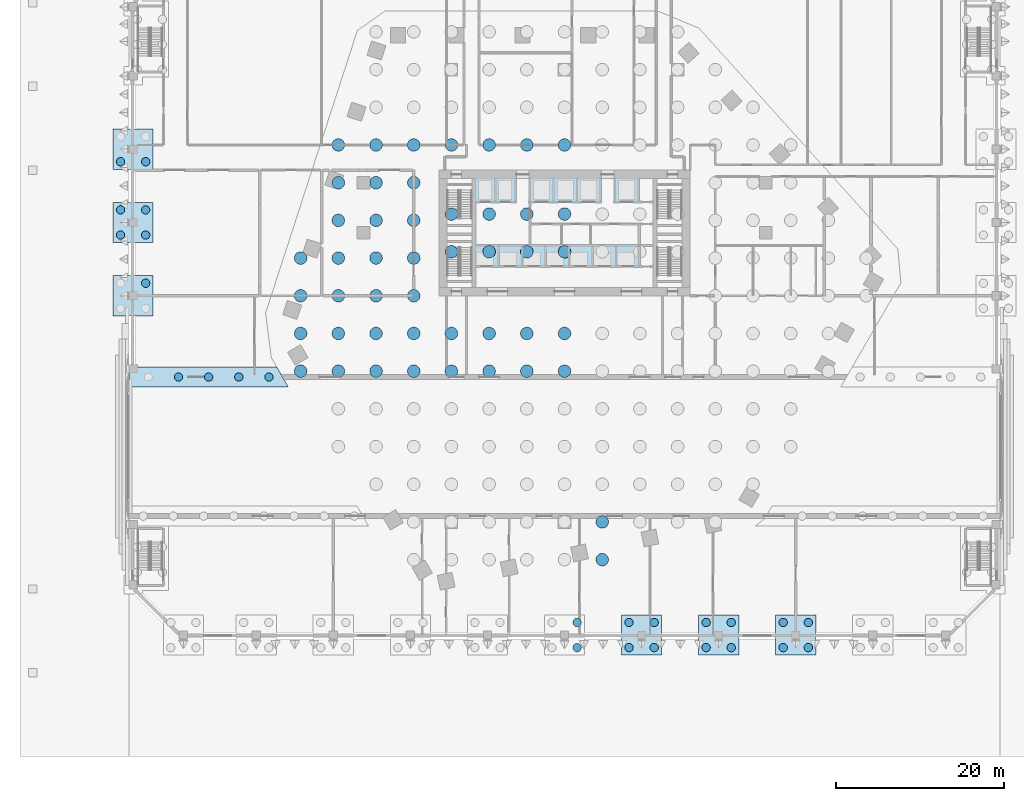
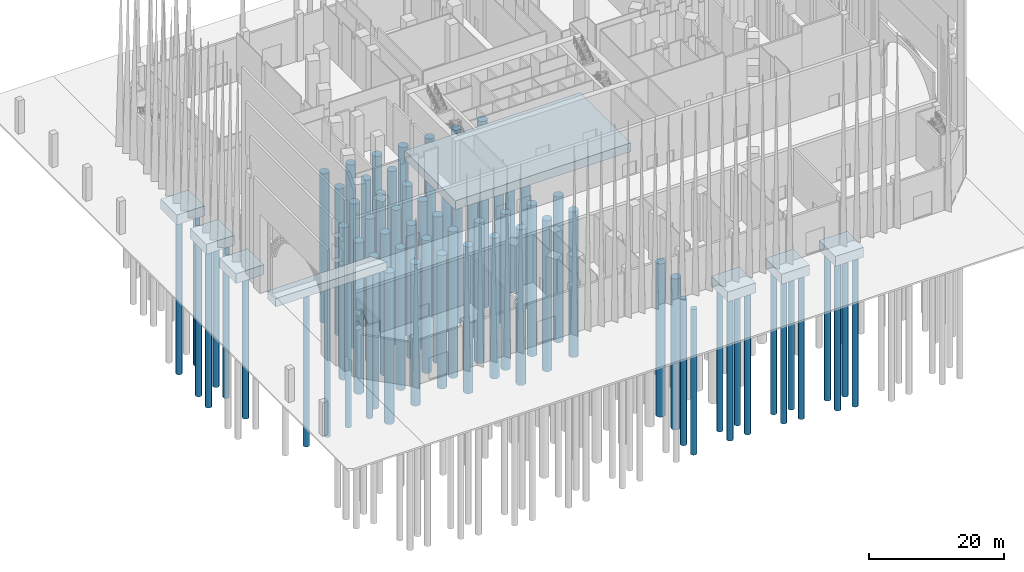
# One storey, part 2 of 32: 72 piles, 8 footings.
"""IFC4 building model written with IfcOpenShell, lengths in metres."""

import ifcopenshell
import ifcopenshell.guid

model = None  # the IFC model being written
_history = None  # IfcOwnerHistory: only IFC2X3 demands one
_inside = {}  # id of a spatial element -> (the spatial element, [elements in it])
_under = {}  # id of a project, library or spatial element -> (it, [spatial elements below it])
_declared = {}  # id of a project -> (the project, [libraries it declares])
_typed = {}  # id of a type object -> (the type object, [elements of that type])
_made_of = {}  # id of a material, layer set ... -> (it, [elements and type objects made of it])


def new_model(schema):
    """Start an empty IFC model of exactly this schema.

    Asked for "IFC4X3", IfcOpenShell would pick the latest addendum, in which some entities
    have other attributes; the version numbers below select the first issue.
    IFC2X3 requires an IfcOwnerHistory on every rooted entity: one is made here for all.
    """
    global model, _history
    if schema == "IFC4X3":
        model = ifcopenshell.file(schema_version=(4, 3, 0, 0))
    else:
        model = ifcopenshell.file(schema=schema)
    _inside.clear()
    _under.clear()
    _declared.clear()
    _typed.clear()
    _made_of.clear()
    _history = None
    if model.schema == "IFC2X3":
        org = make("IfcOrganization", Name="unknown")
        user = make(
            "IfcPersonAndOrganization",
            ThePerson=make("IfcPerson", FamilyName="unknown"),
            TheOrganization=org,
        )
        app = make(
            "IfcApplication",
            ApplicationDeveloper=org,
            Version="unknown",
            ApplicationFullName="unknown",
            ApplicationIdentifier="unknown",
        )
        _history = make(
            "IfcOwnerHistory",
            OwningUser=user,
            OwningApplication=app,
            ChangeAction="ADDED",
            CreationDate=0,
        )
    return model


def make(cls, **values):
    """One entity of the class cls with the attributes given. An attribute that is None is left unset."""
    return model.create_entity(
        cls, **{name: value for name, value in values.items() if value is not None}
    )


def rooted(cls, **values):
    """An entity with a GlobalId (a new one), such as an element, a storey or a relation."""
    return make(cls, GlobalId=ifcopenshell.guid.new(), OwnerHistory=_history, **values)


def si_unit(unit_type, name, prefix=None):
    """IfcSIUnit, for example si_unit("LENGTHUNIT", "METRE", prefix="MILLI")."""
    return make("IfcSIUnit", UnitType=unit_type, Prefix=prefix, Name=name)


def assignment(units):
    """IfcUnitAssignment: the units of a project."""
    return None if units is None else make("IfcUnitAssignment", Units=units)


def point(xyz):
    """IfcCartesianPoint."""
    return None if xyz is None else make("IfcCartesianPoint", Coordinates=xyz)


def direction(xyz):
    """IfcDirection."""
    return None if xyz is None else make("IfcDirection", DirectionRatios=xyz)


def frame(location, z_axis=None, x_axis=None):
    """IfcAxis2Placement3D, a coordinate frame: its origin and axes. An axis left out is left unset."""
    return make(
        "IfcAxis2Placement3D",
        Location=point(location),
        Axis=direction(z_axis),
        RefDirection=direction(x_axis),
    )


def frame_2d(location, x_axis=None):
    """IfcAxis2Placement2D, a coordinate frame in the plane: its origin and x axis."""
    return make(
        "IfcAxis2Placement2D", Location=point(location), RefDirection=direction(x_axis)
    )


def origin():
    """The frame at (0, 0, 0) with its axes left unset."""
    return frame((0.0, 0.0, 0.0))


def origin_2d():
    """The frame at (0, 0) in the plane with its x axis left unset."""
    return frame_2d((0.0, 0.0))


def place(relative_to, where):
    """IfcLocalPlacement: puts the frame where relative to a parent placement (None: the world)."""
    return make(
        "IfcLocalPlacement", PlacementRelTo=relative_to, RelativePlacement=where
    )


def context(
    kind, dimensions, precision=None, world=None, true_north=None, identifier=None
):
    """IfcGeometricRepresentationContext, for example the 3D "Model" context."""
    return make(
        "IfcGeometricRepresentationContext",
        ContextIdentifier=identifier,
        ContextType=kind,
        CoordinateSpaceDimension=dimensions,
        Precision=precision,
        WorldCoordinateSystem=world,
        TrueNorth=true_north,
    )


def subcontext(parent, identifier, kind, view, scale=None):
    """IfcGeometricRepresentationSubContext, for example "Body" below "Model"."""
    return make(
        "IfcGeometricRepresentationSubContext",
        ContextIdentifier=identifier,
        ContextType=kind,
        ParentContext=parent,
        TargetScale=scale,
        TargetView=view,
    )


def project(units=None, contexts=None):
    """IfcProject with its units and contexts."""
    return rooted(
        "IfcProject",
        Name="project",
        RepresentationContexts=contexts,
        UnitsInContext=assignment(units),
    )


def spatial(cls, under=None, at=None, **own):
    """A site, building, storey or space (cls), placed at a placement, below another one or the project."""
    s = rooted(cls, ObjectPlacement=at, **own)
    if under is not None:
        _under.setdefault(under.id(), (under, []))[1].append(s)
    return s


def polyline(points):
    """IfcPolyline through the points."""
    return make("IfcPolyline", Points=[point(p) for p in points])


def profile(cls, at=None, kind="AREA", **sizes):
    """A parametric profile (cls). Its sizes go by their IFC names, for example OverallWidth=200.0."""
    return make(cls, ProfileType=kind, Position=at, **sizes)


def circle(**sizes):
    """IfcCircleProfileDef."""
    return profile("IfcCircleProfileDef", **sizes)


def outline(outer, holes=None, kind="AREA"):
    """IfcArbitraryClosedProfileDef: a profile drawn as a closed curve; with holes, ...WithVoids."""
    if holes is None:
        return make("IfcArbitraryClosedProfileDef", ProfileType=kind, OuterCurve=outer)
    return make(
        "IfcArbitraryProfileDefWithVoids",
        ProfileType=kind,
        OuterCurve=outer,
        InnerCurves=holes,
    )


def extrude(swept, where, along, depth):
    """IfcExtrudedAreaSolid: the profile swept, set in the frame where, extruded along a direction by depth."""
    return make(
        "IfcExtrudedAreaSolid",
        SweptArea=swept,
        Position=where,
        ExtrudedDirection=direction(along),
        Depth=depth,
    )


def shape(context_of_items, identifier, shape_type, items):
    """IfcShapeRepresentation: the items that make up one representation, for example the "Body"."""
    return make(
        "IfcShapeRepresentation",
        ContextOfItems=context_of_items,
        RepresentationIdentifier=identifier,
        RepresentationType=shape_type,
        Items=items,
    )


def material(Name=None, Category=None):
    """IfcMaterial."""
    return make("IfcMaterial", Name=Name, Category=Category)


def layer(
    of_material, thickness, ventilated=None, Name=None, Category=None, Priority=None
):
    """IfcMaterialLayer: one layer of a wall or slab, of a material (None: an air gap)."""
    return make(
        "IfcMaterialLayer",
        Material=of_material,
        LayerThickness=thickness,
        IsVentilated=ventilated,
        Name=Name,
        Category=Category,
        Priority=Priority,
    )


def layer_set(layers, Name=None):
    """IfcMaterialLayerSet."""
    return make("IfcMaterialLayerSet", MaterialLayers=layers, LayerSetName=Name)


def material_profile(
    of_material, cross_section, Name=None, Category=None, Priority=None
):
    """IfcMaterialProfile: a cross section and its material."""
    return make(
        "IfcMaterialProfile",
        Name=Name,
        Material=of_material,
        Profile=cross_section,
        Priority=Priority,
        Category=Category,
    )


def profile_set(profiles, Name=None, composite=None):
    """IfcMaterialProfileSet."""
    return make(
        "IfcMaterialProfileSet",
        Name=Name,
        MaterialProfiles=profiles,
        CompositeProfile=composite,
    )


def made_of(thing, what):
    """Note that an element or type object is made of a material, layer set ...; save() writes the relation."""
    if what is not None:
        _made_of.setdefault(what.id(), (what, []))[1].append(thing)
    return thing


def type_object(cls, material=None, **own):
    """A type object (cls), such as IfcWallType, which elements share."""
    return made_of(rooted(cls, **own), material)


def element(
    cls,
    number,
    at=None,
    inside=None,
    cuts=None,
    type_object=None,
    material=None,
    context=None,
    identifier="Body",
    shape_type=None,
    held_by="IfcProductDefinitionShape",
    body=None,
    shapes=None,
    **own,
):
    """One element of the class cls, such as IfcWall. Its Tag is "e" and its number.

    at: its placement. inside: the storey or other place that contains it. cuts: it is an
    opening in that element (IfcRelVoidsElement). A single representation is given by context,
    identifier, shape_type and body (its items); several are given by shapes. held_by: the class
    of the entity that holds the representations. save() writes the other relations.
    """
    e = rooted(cls, Tag="e%d" % number, ObjectPlacement=at, **own)
    if body is not None:
        shapes = [shape(context, identifier, shape_type, body)]
    if shapes is not None:
        e.Representation = make(held_by, Representations=shapes)
    if inside is not None:
        _inside.setdefault(inside.id(), (inside, []))[1].append(e)
    if cuts is not None:
        rooted(
            "IfcRelVoidsElement", RelatingBuildingElement=cuts, RelatedOpeningElement=e
        )
    if type_object is not None:
        _typed.setdefault(type_object.id(), (type_object, []))[1].append(e)
    return made_of(e, material)


def aggregate(whole, parts):
    """IfcRelAggregates: a whole, such as a stair, and the parts it consists of."""
    return rooted("IfcRelAggregates", RelatingObject=whole, RelatedObjects=parts)


def save(model, path):
    """Write the relations noted so far, then the file.

    IfcRelAggregates (storeys below a building ...), IfcRelContainedInSpatialStructure (elements
    in a storey), IfcRelDefinesByType, IfcRelAssociatesMaterial and IfcRelDeclares: one each for
    every whole, place, type object, material and project.
    """
    for whole, parts in _under.values():
        aggregate(whole, parts)
    for where, things in _inside.values():
        rooted(
            "IfcRelContainedInSpatialStructure",
            RelatedElements=things,
            RelatingStructure=where,
        )
    for kind, things in _typed.values():
        rooted("IfcRelDefinesByType", RelatedObjects=things, RelatingType=kind)
    for what, things in _made_of.values():
        rooted("IfcRelAssociatesMaterial", RelatedObjects=things, RelatingMaterial=what)
    for by, libraries in _declared.values():
        rooted("IfcRelDeclares", RelatingContext=by, RelatedDefinitions=libraries)
    model.write(path)


model = new_model("IFC4")

# Units and contexts
model_context = context("Model", 3, precision=1e-05, world=origin(), true_north=direction((0.0, 1.0)))
body_context = subcontext(model_context, "Body", "Model", "MODEL_VIEW")
ifc_project = project(units=[si_unit("LENGTHUNIT", "METRE"), si_unit("AREAUNIT", "SQUARE_METRE"), si_unit("VOLUMEUNIT", "CUBIC_METRE"), si_unit("PLANEANGLEUNIT", "RADIAN"), si_unit("MASSUNIT", "GRAM", prefix="KILO")], contexts=[model_context])

# Site, building, storey
site_placement = place(None, origin())
site = spatial("IfcSite", under=ifc_project, at=site_placement, CompositionType="ELEMENT")
building_placement = place(site_placement, origin())
building = spatial("IfcBuilding", under=site, at=building_placement, Name="Isthmus Gate Tower", CompositionType="ELEMENT")
storey_placement = place(building_placement, origin())
storey = spatial("IfcBuildingStorey", under=building, at=storey_placement, Name="L00", CompositionType="ELEMENT", Elevation=0.0)

# Piles
ifc_material_1 = material(Name="Concrete f'c 50 MPa", Category="concrete")
ifc_material_profile_1 = material_profile(ifc_material_1, circle(Radius=0.5, at=origin_2d()), Name="D1000")
ifc_profile_set_1 = profile_set([ifc_material_profile_1], Name="Concrete f'c 50 MPa")
pile_type_1 = type_object("IfcPileType", Name="BORED PILE D1000", PredefinedType="BORED", material=ifc_profile_set_1)
pile_1_placement = place(storey_placement, frame((-46.083984375, -9.699951171875, -1.5), z_axis=(0.0, 0.0, -1.0), x_axis=(1.0, 0.0, 0.0)))
element("IfcPile", 1, at=pile_1_placement, inside=storey, type_object=pile_type_1, Name="str-pile-L00-187", PredefinedType="BORED", context=body_context, shape_type="SweptSolid", body=[
    extrude(circle(Radius=0.5, at=origin_2d()), origin(), (0.0, 0.0, 1.0), 28.05029296875),
])
pile_2_placement = place(storey_placement, frame((-42.48388671875, -9.699951171875, -1.5), z_axis=(0.0, 0.0, -1.0), x_axis=(1.0, 0.0, 0.0)))
element("IfcPile", 2, at=pile_2_placement, inside=storey, type_object=pile_type_1, Name="str-pile-L00-188", PredefinedType="BORED", context=body_context, shape_type="SweptSolid", body=[
    extrude(circle(Radius=0.5, at=origin_2d()), origin(), (0.0, 0.0, 1.0), 27.614013671875),
])
pile_3_placement = place(storey_placement, frame((-38.884033203125, -9.699951171875, -1.5), z_axis=(0.0, 0.0, -1.0), x_axis=(1.0, 0.0, 0.0)))
element("IfcPile", 3, at=pile_3_placement, inside=storey, type_object=pile_type_1, Name="str-pile-L00-189", PredefinedType="BORED", context=body_context, shape_type="SweptSolid", body=[
    extrude(circle(Radius=0.5, at=origin_2d()), origin(), (0.0, 0.0, 1.0), 27.166015625),
])
pile_4_placement = place(storey_placement, frame((-35.283935546875, -9.699951171875, -1.5), z_axis=(0.0, 0.0, -1.0), x_axis=(1.0, 0.0, 0.0)))
element("IfcPile", 4, at=pile_4_placement, inside=storey, type_object=pile_type_1, Name="str-pile-L00-190", PredefinedType="BORED", context=body_context, shape_type="SweptSolid", body=[
    extrude(circle(Radius=0.5, at=origin_2d()), origin(), (0.0, 0.0, 1.0), 26.752685546875),
])
pile_5_placement = place(storey_placement, frame((1.5, -42.0, -1.800048828125), z_axis=(0.0, 0.0, -1.0), x_axis=(1.0, 0.0, 0.0)))
element("IfcPile", 5, at=pile_5_placement, inside=storey, type_object=pile_type_1, Name="str-pile-L00-218", PredefinedType="BORED", context=body_context, shape_type="SweptSolid", body=[
    extrude(circle(Radius=0.5, at=origin_2d()), origin(), (0.0, 0.0, 1.0), 26.318115234375),
])
pile_6_placement = place(storey_placement, frame((1.5, -39.0, -1.800048828125), z_axis=(0.0, 0.0, -1.0), x_axis=(1.0, 0.0, 0.0)))
element("IfcPile", 6, at=pile_6_placement, inside=storey, type_object=pile_type_1, Name="str-pile-L00-219", PredefinedType="BORED", context=body_context, shape_type="SweptSolid", body=[
    extrude(circle(Radius=0.5, at=origin_2d()), origin(), (0.0, 0.0, 1.0), 26.438232421875),
])
pile_7_placement = place(storey_placement, frame((7.699951171875, -42.0, -1.800048828125), z_axis=(0.0, 0.0, -1.0), x_axis=(1.0, 0.0, 0.0)))
element("IfcPile", 7, at=pile_7_placement, inside=storey, type_object=pile_type_1, Name="str-pile-L00-220", PredefinedType="BORED", context=body_context, shape_type="SweptSolid", body=[
    extrude(circle(Radius=0.5, at=origin_2d()), origin(), (0.0, 0.0, 1.0), 25.935302734375),
])
pile_8_placement = place(storey_placement, frame((7.699951171875, -39.0, -1.800048828125), z_axis=(0.0, 0.0, -1.0), x_axis=(1.0, 0.0, 0.0)))
element("IfcPile", 8, at=pile_8_placement, inside=storey, type_object=pile_type_1, Name="str-pile-L00-221", PredefinedType="BORED", context=body_context, shape_type="SweptSolid", body=[
    extrude(circle(Radius=0.5, at=origin_2d()), origin(), (0.0, 0.0, 1.0), 26.107666015625),
])
pile_9_placement = place(storey_placement, frame((10.699951171875, -42.0, -1.800048828125), z_axis=(0.0, 0.0, -1.0), x_axis=(1.0, 0.0, 0.0)))
element("IfcPile", 9, at=pile_9_placement, inside=storey, type_object=pile_type_1, Name="str-pile-L00-222", PredefinedType="BORED", context=body_context, shape_type="SweptSolid", body=[
    extrude(circle(Radius=0.5, at=origin_2d()), origin(), (0.0, 0.0, 1.0), 25.884765625),
])
pile_10_placement = place(storey_placement, frame((10.699951171875, -39.0, -1.800048828125), z_axis=(0.0, 0.0, -1.0), x_axis=(1.0, 0.0, 0.0)))
element("IfcPile", 10, at=pile_10_placement, inside=storey, type_object=pile_type_1, Name="str-pile-L00-223", PredefinedType="BORED", context=body_context, shape_type="SweptSolid", body=[
    extrude(circle(Radius=0.5, at=origin_2d()), origin(), (0.0, 0.0, 1.0), 26.06396484375),
])
pile_11_placement = place(storey_placement, frame((16.89990234375, -42.0, -1.800048828125), z_axis=(0.0, 0.0, -1.0), x_axis=(1.0, 0.0, 0.0)))
element("IfcPile", 11, at=pile_11_placement, inside=storey, type_object=pile_type_1, Name="str-pile-L00-224", PredefinedType="BORED", context=body_context, shape_type="SweptSolid", body=[
    extrude(circle(Radius=0.5, at=origin_2d()), origin(), (0.0, 0.0, 1.0), 26.078857421875),
])
pile_12_placement = place(storey_placement, frame((16.89990234375, -39.0, -1.800048828125), z_axis=(0.0, 0.0, -1.0), x_axis=(1.0, 0.0, 0.0)))
element("IfcPile", 12, at=pile_12_placement, inside=storey, type_object=pile_type_1, Name="str-pile-L00-225", PredefinedType="BORED", context=body_context, shape_type="SweptSolid", body=[
    extrude(circle(Radius=0.5, at=origin_2d()), origin(), (0.0, 0.0, 1.0), 26.231689453125),
])
pile_13_placement = place(storey_placement, frame((19.89990234375, -42.0, -1.800048828125), z_axis=(0.0, 0.0, -1.0), x_axis=(1.0, 0.0, 0.0)))
element("IfcPile", 13, at=pile_13_placement, inside=storey, type_object=pile_type_1, Name="str-pile-L00-226", PredefinedType="BORED", context=body_context, shape_type="SweptSolid", body=[
    extrude(circle(Radius=0.5, at=origin_2d()), origin(), (0.0, 0.0, 1.0), 26.302978515625),
])
pile_14_placement = place(storey_placement, frame((19.89990234375, -39.0, -1.800048828125), z_axis=(0.0, 0.0, -1.0), x_axis=(1.0, 0.0, 0.0)))
element("IfcPile", 14, at=pile_14_placement, inside=storey, type_object=pile_type_1, Name="str-pile-L00-227", PredefinedType="BORED", context=body_context, shape_type="SweptSolid", body=[
    extrude(circle(Radius=0.5, at=origin_2d()), origin(), (0.0, 0.0, 1.0), 26.42529296875),
])
pile_15_placement = place(storey_placement, frame((26.10009765625, -42.0, -1.800048828125), z_axis=(0.0, 0.0, -1.0), x_axis=(1.0, 0.0, 0.0)))
element("IfcPile", 15, at=pile_15_placement, inside=storey, type_object=pile_type_1, Name="str-pile-L00-228", PredefinedType="BORED", context=body_context, shape_type="SweptSolid", body=[
    extrude(circle(Radius=0.5, at=origin_2d()), origin(), (0.0, 0.0, 1.0), 26.9482421875),
])
pile_16_placement = place(storey_placement, frame((26.10009765625, -39.0, -1.800048828125), z_axis=(0.0, 0.0, -1.0), x_axis=(1.0, 0.0, 0.0)))
element("IfcPile", 16, at=pile_16_placement, inside=storey, type_object=pile_type_1, Name="str-pile-L00-229", PredefinedType="BORED", context=body_context, shape_type="SweptSolid", body=[
    extrude(circle(Radius=0.5, at=origin_2d()), origin(), (0.0, 0.0, 1.0), 26.982666015625),
])
pile_17_placement = place(storey_placement, frame((29.10009765625, -42.0, -1.800048828125), z_axis=(0.0, 0.0, -1.0), x_axis=(1.0, 0.0, 0.0)))
element("IfcPile", 17, at=pile_17_placement, inside=storey, type_object=pile_type_1, Name="str-pile-L00-230", PredefinedType="BORED", context=body_context, shape_type="SweptSolid", body=[
    extrude(circle(Radius=0.5, at=origin_2d()), origin(), (0.0, 0.0, 1.0), 27.3017578125),
])
pile_18_placement = place(storey_placement, frame((29.10009765625, -39.0, -1.800048828125), z_axis=(0.0, 0.0, -1.0), x_axis=(1.0, 0.0, 0.0)))
element("IfcPile", 18, at=pile_18_placement, inside=storey, type_object=pile_type_1, Name="str-pile-L00-231", PredefinedType="BORED", context=body_context, shape_type="SweptSolid", body=[
    extrude(circle(Radius=0.5, at=origin_2d()), origin(), (0.0, 0.0, 1.0), 27.287841796875),
])
pile_19_placement = place(storey_placement, frame((-53.0, 16.0, -1.800048828125), z_axis=(0.0, 0.0, -1.0), x_axis=(1.0, 0.0, 0.0)))
element("IfcPile", 19, at=pile_19_placement, inside=storey, type_object=pile_type_1, Name="str-pile-L00-296", PredefinedType="BORED", context=body_context, shape_type="SweptSolid", body=[
    extrude(circle(Radius=0.5, at=origin_2d()), origin(), (0.0, 0.0, 1.0), 27.89306640625),
])
pile_20_placement = place(storey_placement, frame((-50.0, 16.0, -1.800048828125), z_axis=(0.0, 0.0, -1.0), x_axis=(1.0, 0.0, 0.0)))
element("IfcPile", 20, at=pile_20_placement, inside=storey, type_object=pile_type_1, Name="str-pile-L00-298", PredefinedType="BORED", context=body_context, shape_type="SweptSolid", body=[
    extrude(circle(Radius=0.5, at=origin_2d()), origin(), (0.0, 0.0, 1.0), 27.35498046875),
])
pile_21_placement = place(storey_placement, frame((-53.0, 7.25, -1.800048828125), z_axis=(0.0, 0.0, -1.0), x_axis=(1.0, 0.0, 0.0)))
element("IfcPile", 21, at=pile_21_placement, inside=storey, type_object=pile_type_1, Name="str-pile-L00-300", PredefinedType="BORED", context=body_context, shape_type="SweptSolid", body=[
    extrude(circle(Radius=0.5, at=origin_2d()), origin(), (0.0, 0.0, 1.0), 28.588134765625),
])
pile_22_placement = place(storey_placement, frame((-53.0, 10.25, -1.800048828125), z_axis=(0.0, 0.0, -1.0), x_axis=(1.0, 0.0, 0.0)))
element("IfcPile", 22, at=pile_22_placement, inside=storey, type_object=pile_type_1, Name="str-pile-L00-301", PredefinedType="BORED", context=body_context, shape_type="SweptSolid", body=[
    extrude(circle(Radius=0.5, at=origin_2d()), origin(), (0.0, 0.0, 1.0), 28.375),
])
pile_23_placement = place(storey_placement, frame((-50.0, 7.25, -1.800048828125), z_axis=(0.0, 0.0, -1.0), x_axis=(1.0, 0.0, 0.0)))
element("IfcPile", 23, at=pile_23_placement, inside=storey, type_object=pile_type_1, Name="str-pile-L00-302", PredefinedType="BORED", context=body_context, shape_type="SweptSolid", body=[
    extrude(circle(Radius=0.5, at=origin_2d()), origin(), (0.0, 0.0, 1.0), 27.9130859375),
])
pile_24_placement = place(storey_placement, frame((-50.0, 10.25, -1.800048828125), z_axis=(0.0, 0.0, -1.0), x_axis=(1.0, 0.0, 0.0)))
element("IfcPile", 24, at=pile_24_placement, inside=storey, type_object=pile_type_1, Name="str-pile-L00-303", PredefinedType="BORED", context=body_context, shape_type="SweptSolid", body=[
    extrude(circle(Radius=0.5, at=origin_2d()), origin(), (0.0, 0.0, 1.0), 27.7421875),
])
pile_25_placement = place(storey_placement, frame((-50.0, 1.5, -1.800048828125), z_axis=(0.0, 0.0, -1.0), x_axis=(1.0, 0.0, 0.0)))
element("IfcPile", 25, at=pile_25_placement, inside=storey, type_object=pile_type_1, Name="str-pile-L00-307", PredefinedType="BORED", context=body_context, shape_type="SweptSolid", body=[
    extrude(circle(Radius=0.5, at=origin_2d()), origin(), (0.0, 0.0, 1.0), 28.148193359375),
])
ifc_material_2 = material(Name="Concrete f'c 50 MPa", Category="concrete")
ifc_material_profile_2 = material_profile(ifc_material_2, circle(Radius=0.75, at=origin_2d()), Name="D1500")
ifc_profile_set_2 = profile_set([ifc_material_profile_2], Name="Concrete f'c 50 MPa")
pile_type_2 = type_object("IfcPileType", Name="BORED PILE D1500", PredefinedType="BORED", material=ifc_profile_set_2)
pile_26_placement = place(storey_placement, frame((-31.5, -9.0, -3.5), z_axis=(0.0, 0.0, -1.0), x_axis=(1.0, 0.0, 0.0)))
element("IfcPile", 26, at=pile_26_placement, inside=storey, type_object=pile_type_2, Name="str-pile-L00-001", PredefinedType="BORED", context=body_context, shape_type="SweptSolid", body=[
    extrude(circle(Radius=0.75, at=origin_2d()), origin(), (0.0, 0.0, 1.0), 27.382568359375),
])
pile_27_placement = place(storey_placement, frame((-31.5, -4.5, -3.5), z_axis=(0.0, 0.0, -1.0), x_axis=(1.0, 0.0, 0.0)))
element("IfcPile", 27, at=pile_27_placement, inside=storey, type_object=pile_type_2, Name="str-pile-L00-002", PredefinedType="BORED", context=body_context, shape_type="SweptSolid", body=[
    extrude(circle(Radius=0.75, at=origin_2d()), origin(), (0.0, 0.0, 1.0), 27.319091796875),
])
pile_28_placement = place(storey_placement, frame((-31.5, 0.0, -3.5), z_axis=(0.0, 0.0, -1.0), x_axis=(1.0, 0.0, 0.0)))
element("IfcPile", 28, at=pile_28_placement, inside=storey, type_object=pile_type_2, Name="str-pile-L00-003", PredefinedType="BORED", context=body_context, shape_type="SweptSolid", body=[
    extrude(circle(Radius=0.75, at=origin_2d()), origin(), (0.0, 0.0, 1.0), 27.37158203125),
])
pile_29_placement = place(storey_placement, frame((-31.5, 4.5, -3.5), z_axis=(0.0, 0.0, -1.0), x_axis=(1.0, 0.0, 0.0)))
element("IfcPile", 29, at=pile_29_placement, inside=storey, type_object=pile_type_2, Name="str-pile-L00-004", PredefinedType="BORED", context=body_context, shape_type="SweptSolid", body=[
    extrude(circle(Radius=0.75, at=origin_2d()), origin(), (0.0, 0.0, 1.0), 27.535400390625),
])
pile_30_placement = place(storey_placement, frame((-27.0, -9.0, -3.5), z_axis=(0.0, 0.0, -1.0), x_axis=(1.0, 0.0, 0.0)))
element("IfcPile", 30, at=pile_30_placement, inside=storey, type_object=pile_type_2, Name="str-pile-L00-007", PredefinedType="BORED", context=body_context, shape_type="SweptSolid", body=[
    extrude(circle(Radius=0.75, at=origin_2d()), origin(), (0.0, 0.0, 1.0), 25.62841796875),
])
pile_31_placement = place(storey_placement, frame((-27.0, -4.5, -3.5), z_axis=(0.0, 0.0, -1.0), x_axis=(1.0, 0.0, 0.0)))
element("IfcPile", 31, at=pile_31_placement, inside=storey, type_object=pile_type_2, Name="str-pile-L00-008", PredefinedType="BORED", context=body_context, shape_type="SweptSolid", body=[
    extrude(circle(Radius=0.75, at=origin_2d()), origin(), (0.0, 0.0, 1.0), 25.55029296875),
])
pile_32_placement = place(storey_placement, frame((-27.0, 0.0, -3.5), z_axis=(0.0, 0.0, -1.0), x_axis=(1.0, 0.0, 0.0)))
element("IfcPile", 32, at=pile_32_placement, inside=storey, type_object=pile_type_2, Name="str-pile-L00-009", PredefinedType="BORED", context=body_context, shape_type="SweptSolid", body=[
    extrude(circle(Radius=0.75, at=origin_2d()), origin(), (0.0, 0.0, 1.0), 25.61474609375),
])
pile_33_placement = place(storey_placement, frame((-27.0, 4.5, -3.5), z_axis=(0.0, 0.0, -1.0), x_axis=(1.0, 0.0, 0.0)))
element("IfcPile", 33, at=pile_33_placement, inside=storey, type_object=pile_type_2, Name="str-pile-L00-010", PredefinedType="BORED", context=body_context, shape_type="SweptSolid", body=[
    extrude(circle(Radius=0.75, at=origin_2d()), origin(), (0.0, 0.0, 1.0), 25.815673828125),
])
pile_34_placement = place(storey_placement, frame((-27.0, 9.0, -3.5), z_axis=(0.0, 0.0, -1.0), x_axis=(1.0, 0.0, 0.0)))
element("IfcPile", 34, at=pile_34_placement, inside=storey, type_object=pile_type_2, Name="str-pile-L00-011", PredefinedType="BORED", context=body_context, shape_type="SweptSolid", body=[
    extrude(circle(Radius=0.75, at=origin_2d()), origin(), (0.0, 0.0, 1.0), 26.13330078125),
])
pile_35_placement = place(storey_placement, frame((-27.0, 13.5, -3.5), z_axis=(0.0, 0.0, -1.0), x_axis=(1.0, 0.0, 0.0)))
element("IfcPile", 35, at=pile_35_placement, inside=storey, type_object=pile_type_2, Name="str-pile-L00-012", PredefinedType="BORED", context=body_context, shape_type="SweptSolid", body=[
    extrude(circle(Radius=0.75, at=origin_2d()), origin(), (0.0, 0.0, 1.0), 26.535888671875),
])
pile_36_placement = place(storey_placement, frame((-27.0, 18.0, -3.5), z_axis=(0.0, 0.0, -1.0), x_axis=(1.0, 0.0, 0.0)))
element("IfcPile", 36, at=pile_36_placement, inside=storey, type_object=pile_type_2, Name="str-pile-L00-013", PredefinedType="BORED", context=body_context, shape_type="SweptSolid", body=[
    extrude(circle(Radius=0.75, at=origin_2d()), origin(), (0.0, 0.0, 1.0), 26.984375),
])
pile_37_placement = place(storey_placement, frame((-22.5, -9.0, -3.5), z_axis=(0.0, 0.0, -1.0), x_axis=(1.0, 0.0, 0.0)))
element("IfcPile", 37, at=pile_37_placement, inside=storey, type_object=pile_type_2, Name="str-pile-L00-017", PredefinedType="BORED", context=body_context, shape_type="SweptSolid", body=[
    extrude(circle(Radius=0.75, at=origin_2d()), origin(), (0.0, 0.0, 1.0), 24.095947265625),
])
pile_38_placement = place(storey_placement, frame((-22.5, -4.5, -3.5), z_axis=(0.0, 0.0, -1.0), x_axis=(1.0, 0.0, 0.0)))
element("IfcPile", 38, at=pile_38_placement, inside=storey, type_object=pile_type_2, Name="str-pile-L00-018", PredefinedType="BORED", context=body_context, shape_type="SweptSolid", body=[
    extrude(circle(Radius=0.75, at=origin_2d()), origin(), (0.0, 0.0, 1.0), 24.01611328125),
])
pile_39_placement = place(storey_placement, frame((-22.5, 0.0, -3.5), z_axis=(0.0, 0.0, -1.0), x_axis=(1.0, 0.0, 0.0)))
element("IfcPile", 39, at=pile_39_placement, inside=storey, type_object=pile_type_2, Name="str-pile-L00-019", PredefinedType="BORED", context=body_context, shape_type="SweptSolid", body=[
    extrude(circle(Radius=0.75, at=origin_2d()), origin(), (0.0, 0.0, 1.0), 24.082275390625),
])
pile_40_placement = place(storey_placement, frame((-22.5, 4.5, -3.5), z_axis=(0.0, 0.0, -1.0), x_axis=(1.0, 0.0, 0.0)))
element("IfcPile", 40, at=pile_40_placement, inside=storey, type_object=pile_type_2, Name="str-pile-L00-020", PredefinedType="BORED", context=body_context, shape_type="SweptSolid", body=[
    extrude(circle(Radius=0.75, at=origin_2d()), origin(), (0.0, 0.0, 1.0), 24.287841796875),
])
pile_41_placement = place(storey_placement, frame((-22.5, 9.0, -3.5), z_axis=(0.0, 0.0, -1.0), x_axis=(1.0, 0.0, 0.0)))
element("IfcPile", 41, at=pile_41_placement, inside=storey, type_object=pile_type_2, Name="str-pile-L00-021", PredefinedType="BORED", context=body_context, shape_type="SweptSolid", body=[
    extrude(circle(Radius=0.75, at=origin_2d()), origin(), (0.0, 0.0, 1.0), 24.61279296875),
])
pile_42_placement = place(storey_placement, frame((-22.5, 13.5, -3.5), z_axis=(0.0, 0.0, -1.0), x_axis=(1.0, 0.0, 0.0)))
element("IfcPile", 42, at=pile_42_placement, inside=storey, type_object=pile_type_2, Name="str-pile-L00-022", PredefinedType="BORED", context=body_context, shape_type="SweptSolid", body=[
    extrude(circle(Radius=0.75, at=origin_2d()), origin(), (0.0, 0.0, 1.0), 25.02490234375),
])
pile_43_placement = place(storey_placement, frame((-22.5, 18.0, -3.5), z_axis=(0.0, 0.0, -1.0), x_axis=(1.0, 0.0, 0.0)))
element("IfcPile", 43, at=pile_43_placement, inside=storey, type_object=pile_type_2, Name="str-pile-L00-023", PredefinedType="BORED", context=body_context, shape_type="SweptSolid", body=[
    extrude(circle(Radius=0.75, at=origin_2d()), origin(), (0.0, 0.0, 1.0), 25.48388671875),
])
pile_44_placement = place(storey_placement, frame((-18.0, -9.0, -3.5), z_axis=(0.0, 0.0, -1.0), x_axis=(1.0, 0.0, 0.0)))
element("IfcPile", 44, at=pile_44_placement, inside=storey, type_object=pile_type_2, Name="str-pile-L00-032", PredefinedType="BORED", context=body_context, shape_type="SweptSolid", body=[
    extrude(circle(Radius=0.75, at=origin_2d()), origin(), (0.0, 0.0, 1.0), 26.540771484375),
])
pile_45_placement = place(storey_placement, frame((-18.0, -4.5, -3.5), z_axis=(0.0, 0.0, -1.0), x_axis=(1.0, 0.0, 0.0)))
element("IfcPile", 45, at=pile_45_placement, inside=storey, type_object=pile_type_2, Name="str-pile-L00-033", PredefinedType="BORED", context=body_context, shape_type="SweptSolid", body=[
    extrude(circle(Radius=0.75, at=origin_2d()), origin(), (0.0, 0.0, 1.0), 26.471923828125),
])
pile_46_placement = place(storey_placement, frame((-18.0, 0.0, -3.5), z_axis=(0.0, 0.0, -1.0), x_axis=(1.0, 0.0, 0.0)))
element("IfcPile", 46, at=pile_46_placement, inside=storey, type_object=pile_type_2, Name="str-pile-L00-034", PredefinedType="BORED", context=body_context, shape_type="SweptSolid", body=[
    extrude(circle(Radius=0.75, at=origin_2d()), origin(), (0.0, 0.0, 1.0), 26.52880859375),
])
pile_47_placement = place(storey_placement, frame((-18.0, 4.5, -3.5), z_axis=(0.0, 0.0, -1.0), x_axis=(1.0, 0.0, 0.0)))
element("IfcPile", 47, at=pile_47_placement, inside=storey, type_object=pile_type_2, Name="str-pile-L00-035", PredefinedType="BORED", context=body_context, shape_type="SweptSolid", body=[
    extrude(circle(Radius=0.75, at=origin_2d()), origin(), (0.0, 0.0, 1.0), 26.7060546875),
])
pile_48_placement = place(storey_placement, frame((-18.0, 9.0, -3.5), z_axis=(0.0, 0.0, -1.0), x_axis=(1.0, 0.0, 0.0)))
element("IfcPile", 48, at=pile_48_placement, inside=storey, type_object=pile_type_2, Name="str-pile-L00-036", PredefinedType="BORED", context=body_context, shape_type="SweptSolid", body=[
    extrude(circle(Radius=0.75, at=origin_2d()), origin(), (0.0, 0.0, 1.0), 26.98583984375),
])
pile_49_placement = place(storey_placement, frame((-18.0, 13.5, -3.5), z_axis=(0.0, 0.0, -1.0), x_axis=(1.0, 0.0, 0.0)))
element("IfcPile", 49, at=pile_49_placement, inside=storey, type_object=pile_type_2, Name="str-pile-L00-037", PredefinedType="BORED", context=body_context, shape_type="SweptSolid", body=[
    extrude(circle(Radius=0.75, at=origin_2d()), origin(), (0.0, 0.0, 1.0), 27.3408203125),
])
pile_50_placement = place(storey_placement, frame((-18.0, 18.0, -3.5), z_axis=(0.0, 0.0, -1.0), x_axis=(1.0, 0.0, 0.0)))
element("IfcPile", 50, at=pile_50_placement, inside=storey, type_object=pile_type_2, Name="str-pile-L00-038", PredefinedType="BORED", context=body_context, shape_type="SweptSolid", body=[
    extrude(circle(Radius=0.75, at=origin_2d()), origin(), (0.0, 0.0, 1.0), 27.736083984375),
])
pile_51_placement = place(storey_placement, frame((-13.5, -9.0, -3.5), z_axis=(0.0, 0.0, -1.0), x_axis=(1.0, 0.0, 0.0)))
element("IfcPile", 51, at=pile_51_placement, inside=storey, type_object=pile_type_2, Name="str-pile-L00-047", PredefinedType="BORED", context=body_context, shape_type="SweptSolid", body=[
    extrude(circle(Radius=0.75, at=origin_2d()), origin(), (0.0, 0.0, 1.0), 25.43115234375),
])
pile_52_placement = place(storey_placement, frame((-13.5, -4.5, -3.5), z_axis=(0.0, 0.0, -1.0), x_axis=(1.0, 0.0, 0.0)))
element("IfcPile", 52, at=pile_52_placement, inside=storey, type_object=pile_type_2, Name="str-pile-L00-048", PredefinedType="BORED", context=body_context, shape_type="SweptSolid", body=[
    extrude(circle(Radius=0.75, at=origin_2d()), origin(), (0.0, 0.0, 1.0), 25.384765625),
])
pile_53_placement = place(storey_placement, frame((-13.5, 18.0, -3.5), z_axis=(0.0, 0.0, -1.0), x_axis=(1.0, 0.0, 0.0)))
element("IfcPile", 53, at=pile_53_placement, inside=storey, type_object=pile_type_2, Name="str-pile-L00-049", PredefinedType="BORED", context=body_context, shape_type="SweptSolid", body=[
    extrude(circle(Radius=0.75, at=origin_2d()), origin(), (0.0, 0.0, 1.0), 26.24072265625),
])
pile_54_placement = place(storey_placement, frame((-9.0, -9.0, -3.5), z_axis=(0.0, 0.0, -1.0), x_axis=(1.0, 0.0, 0.0)))
element("IfcPile", 54, at=pile_54_placement, inside=storey, type_object=pile_type_2, Name="str-pile-L00-058", PredefinedType="BORED", context=body_context, shape_type="SweptSolid", body=[
    extrude(circle(Radius=0.75, at=origin_2d()), origin(), (0.0, 0.0, 1.0), 28.2041015625),
])
pile_55_placement = place(storey_placement, frame((-9.0, -4.5, -3.5), z_axis=(0.0, 0.0, -1.0), x_axis=(1.0, 0.0, 0.0)))
element("IfcPile", 55, at=pile_55_placement, inside=storey, type_object=pile_type_2, Name="str-pile-L00-059", PredefinedType="BORED", context=body_context, shape_type="SweptSolid", body=[
    extrude(circle(Radius=0.75, at=origin_2d()), origin(), (0.0, 0.0, 1.0), 28.187255859375),
])
pile_56_placement = place(storey_placement, frame((-9.0, 18.0, -3.5), z_axis=(0.0, 0.0, -1.0), x_axis=(1.0, 0.0, 0.0)))
element("IfcPile", 56, at=pile_56_placement, inside=storey, type_object=pile_type_2, Name="str-pile-L00-060", PredefinedType="BORED", context=body_context, shape_type="SweptSolid", body=[
    extrude(circle(Radius=0.75, at=origin_2d()), origin(), (0.0, 0.0, 1.0), 28.49658203125),
])
pile_57_placement = place(storey_placement, frame((-4.5, -9.0, -3.5), z_axis=(0.0, 0.0, -1.0), x_axis=(1.0, 0.0, 0.0)))
element("IfcPile", 57, at=pile_57_placement, inside=storey, type_object=pile_type_2, Name="str-pile-L00-069", PredefinedType="BORED", context=body_context, shape_type="SweptSolid", body=[
    extrude(circle(Radius=0.75, at=origin_2d()), origin(), (0.0, 0.0, 1.0), 27.27490234375),
])
pile_58_placement = place(storey_placement, frame((-4.5, -4.5, -3.5), z_axis=(0.0, 0.0, -1.0), x_axis=(1.0, 0.0, 0.0)))
element("IfcPile", 58, at=pile_58_placement, inside=storey, type_object=pile_type_2, Name="str-pile-L00-070", PredefinedType="BORED", context=body_context, shape_type="SweptSolid", body=[
    extrude(circle(Radius=0.75, at=origin_2d()), origin(), (0.0, 0.0, 1.0), 27.29052734375),
])
pile_59_placement = place(storey_placement, frame((-4.5, 18.0, -3.5), z_axis=(0.0, 0.0, -1.0), x_axis=(1.0, 0.0, 0.0)))
element("IfcPile", 59, at=pile_59_placement, inside=storey, type_object=pile_type_2, Name="str-pile-L00-071", PredefinedType="BORED", context=body_context, shape_type="SweptSolid", body=[
    extrude(circle(Radius=0.75, at=origin_2d()), origin(), (0.0, 0.0, 1.0), 27.003173828125),
])
pile_60_placement = place(storey_placement, frame((0.0, -9.0, -3.5), z_axis=(0.0, 0.0, -1.0), x_axis=(1.0, 0.0, 0.0)))
element("IfcPile", 60, at=pile_60_placement, inside=storey, type_object=pile_type_2, Name="str-pile-L00-080", PredefinedType="BORED", context=body_context, shape_type="SweptSolid", body=[
    extrude(circle(Radius=0.75, at=origin_2d()), origin(), (0.0, 0.0, 1.0), 26.30126953125),
])
pile_61_placement = place(storey_placement, frame((0.0, -4.5, -3.5), z_axis=(0.0, 0.0, -1.0), x_axis=(1.0, 0.0, 0.0)))
element("IfcPile", 61, at=pile_61_placement, inside=storey, type_object=pile_type_2, Name="str-pile-L00-081", PredefinedType="BORED", context=body_context, shape_type="SweptSolid", body=[
    extrude(circle(Radius=0.75, at=origin_2d()), origin(), (0.0, 0.0, 1.0), 26.346923828125),
])
pile_62_placement = place(storey_placement, frame((0.0, 18.0, -3.5), z_axis=(0.0, 0.0, -1.0), x_axis=(1.0, 0.0, 0.0)))
element("IfcPile", 62, at=pile_62_placement, inside=storey, type_object=pile_type_2, Name="str-pile-L00-082", PredefinedType="BORED", context=body_context, shape_type="SweptSolid", body=[
    extrude(circle(Radius=0.75, at=origin_2d()), origin(), (0.0, 0.0, 1.0), 25.509033203125),
])
pile_63_placement = place(storey_placement, frame((4.5, -31.5, -3.5), z_axis=(0.0, 0.0, -1.0), x_axis=(1.0, 0.0, 0.0)))
element("IfcPile", 63, at=pile_63_placement, inside=storey, type_object=pile_type_2, Name="str-pile-L00-086", PredefinedType="BORED", context=body_context, shape_type="SweptSolid", body=[
    extrude(circle(Radius=0.75, at=origin_2d()), origin(), (0.0, 0.0, 1.0), 27.334716796875),
])
pile_64_placement = place(storey_placement, frame((4.5, -27.0, -3.5), z_axis=(0.0, 0.0, -1.0), x_axis=(1.0, 0.0, 0.0)))
element("IfcPile", 64, at=pile_64_placement, inside=storey, type_object=pile_type_2, Name="str-pile-L00-087", PredefinedType="BORED", context=body_context, shape_type="SweptSolid", body=[
    extrude(circle(Radius=0.75, at=origin_2d()), origin(), (0.0, 0.0, 1.0), 27.7255859375),
])
pile_65_placement = place(storey_placement, frame((-13.5, 5.25, -3.5), z_axis=(0.0, 0.0, -1.0), x_axis=(1.0, 0.0, 0.0)))
element("IfcPile", 65, at=pile_65_placement, inside=storey, type_object=pile_type_2, Name="str-pile-L00-157", PredefinedType="BORED", context=body_context, shape_type="SweptSolid", body=[
    extrude(circle(Radius=0.75, at=origin_2d()), origin(), (0.0, 0.0, 1.0), 25.5703125),
])
pile_66_placement = place(storey_placement, frame((-13.5, 9.75, -3.5), z_axis=(0.0, 0.0, -1.0), x_axis=(1.0, 0.0, 0.0)))
element("IfcPile", 66, at=pile_66_placement, inside=storey, type_object=pile_type_2, Name="str-pile-L00-158", PredefinedType="BORED", context=body_context, shape_type="SweptSolid", body=[
    extrude(circle(Radius=0.75, at=origin_2d()), origin(), (0.0, 0.0, 1.0), 25.769775390625),
])
pile_67_placement = place(storey_placement, frame((-9.0, 5.25, -3.5), z_axis=(0.0, 0.0, -1.0), x_axis=(1.0, 0.0, 0.0)))
element("IfcPile", 67, at=pile_67_placement, inside=storey, type_object=pile_type_2, Name="str-pile-L00-159", PredefinedType="BORED", context=body_context, shape_type="SweptSolid", body=[
    extrude(circle(Radius=0.75, at=origin_2d()), origin(), (0.0, 0.0, 1.0), 28.25439453125),
])
pile_68_placement = place(storey_placement, frame((-9.0, 9.75, -3.5), z_axis=(0.0, 0.0, -1.0), x_axis=(1.0, 0.0, 0.0)))
element("IfcPile", 68, at=pile_68_placement, inside=storey, type_object=pile_type_2, Name="str-pile-L00-160", PredefinedType="BORED", context=body_context, shape_type="SweptSolid", body=[
    extrude(circle(Radius=0.75, at=origin_2d()), origin(), (0.0, 0.0, 1.0), 28.326416015625),
])
pile_69_placement = place(storey_placement, frame((-4.5, 5.25, -3.5), z_axis=(0.0, 0.0, -1.0), x_axis=(1.0, 0.0, 0.0)))
element("IfcPile", 69, at=pile_69_placement, inside=storey, type_object=pile_type_2, Name="str-pile-L00-161", PredefinedType="BORED", context=body_context, shape_type="SweptSolid", body=[
    extrude(circle(Radius=0.75, at=origin_2d()), origin(), (0.0, 0.0, 1.0), 27.228271484375),
])
pile_70_placement = place(storey_placement, frame((-4.5, 9.75, -3.5), z_axis=(0.0, 0.0, -1.0), x_axis=(1.0, 0.0, 0.0)))
element("IfcPile", 70, at=pile_70_placement, inside=storey, type_object=pile_type_2, Name="str-pile-L00-162", PredefinedType="BORED", context=body_context, shape_type="SweptSolid", body=[
    extrude(circle(Radius=0.75, at=origin_2d()), origin(), (0.0, 0.0, 1.0), 27.161376953125),
])
pile_71_placement = place(storey_placement, frame((0.0, 5.25, -3.5), z_axis=(0.0, 0.0, -1.0), x_axis=(1.0, 0.0, 0.0)))
element("IfcPile", 71, at=pile_71_placement, inside=storey, type_object=pile_type_2, Name="str-pile-L00-163", PredefinedType="BORED", context=body_context, shape_type="SweptSolid", body=[
    extrude(circle(Radius=0.75, at=origin_2d()), origin(), (0.0, 0.0, 1.0), 26.165283203125),
])
pile_72_placement = place(storey_placement, frame((0.0, 9.75, -3.5), z_axis=(0.0, 0.0, -1.0), x_axis=(1.0, 0.0, 0.0)))
element("IfcPile", 72, at=pile_72_placement, inside=storey, type_object=pile_type_2, Name="str-pile-L00-164", PredefinedType="BORED", context=body_context, shape_type="SweptSolid", body=[
    extrude(circle(Radius=0.75, at=origin_2d()), origin(), (0.0, 0.0, 1.0), 25.969970703125),
])

# Footings
ifc_material_3 = material(Name="Concrete f'c 50 MPa", Category="concrete")
ifc_layer_1 = layer(ifc_material_3, 1.60009765625)
ifc_layer_set_1 = layer_set([ifc_layer_1], Name="CORE RAFT PIECE 1600")
footing_type_1 = type_object("IfcFootingType", Name="CORE RAFT PIECE 1600", PredefinedType="PAD_FOOTING", material=ifc_layer_set_1)
footing_1_placement = place(storey_placement, frame((0.0, 0.0, -3.800048828125)))
element("IfcFooting", 73, at=footing_1_placement, inside=storey, type_object=footing_type_1, Name="str-raftcore-L00-1", PredefinedType="PAD_FOOTING", context=body_context, shape_type="SweptSolid", body=[
    extrude(outline(polyline([(15.0, 0.0), (15.0, 15.0), (-15.0, 15.0), (-15.0, 0.0), (15.0, 0.0)])), origin(), (0.0, 0.0, 1.0), 1.60009765625),
])
ifc_material_4 = material(Name="Concrete f'c 50 MPa", Category="concrete")
footing_type_2 = type_object("IfcFootingType", Name="PILE CAP 4800 X 4800 X 1800", PredefinedType="PILE_CAP", material=ifc_material_4)
footing_2_placement = place(storey_placement, frame((0.0, 0.0, -2.10009765625)))
element("IfcFooting", 74, at=footing_2_placement, inside=storey, type_object=footing_type_2, Name="str-cap-L00-PC07", PredefinedType="PILE_CAP", context=body_context, shape_type="SweptSolid", body=[
    extrude(outline(polyline([(11.60009765625, -42.89990234375), (11.60009765625, -38.10009765625), (6.800048828125, -38.10009765625), (6.800048828125, -42.89990234375), (11.60009765625, -42.89990234375)])), origin(), (0.0, 0.0, 1.0), 1.800048828125),
])
footing_3_placement = place(storey_placement, frame((0.0, 0.0, -2.10009765625)))
element("IfcFooting", 75, at=footing_3_placement, inside=storey, type_object=footing_type_2, Name="str-cap-L00-PC08", PredefinedType="PILE_CAP", context=body_context, shape_type="SweptSolid", body=[
    extrude(outline(polyline([(20.800048828125, -42.89990234375), (20.800048828125, -38.10009765625), (16.0, -38.10009765625), (16.0, -42.89990234375), (20.800048828125, -42.89990234375)])), origin(), (0.0, 0.0, 1.0), 1.800048828125),
])
footing_4_placement = place(storey_placement, frame((0.0, 0.0, -2.10009765625)))
element("IfcFooting", 76, at=footing_4_placement, inside=storey, type_object=footing_type_2, Name="str-cap-L00-PC09", PredefinedType="PILE_CAP", context=body_context, shape_type="SweptSolid", body=[
    extrude(outline(polyline([(30.0, -42.89990234375), (30.0, -38.10009765625), (25.199951171875, -38.10009765625), (25.199951171875, -42.89990234375), (30.0, -42.89990234375)])), origin(), (0.0, 0.0, 1.0), 1.800048828125),
])
footing_5_placement = place(storey_placement, frame((0.0, 0.0, -2.10009765625)))
element("IfcFooting", 77, at=footing_5_placement, inside=storey, type_object=footing_type_2, Name="str-cap-L00-PC31", PredefinedType="PILE_CAP", context=body_context, shape_type="SweptSolid", body=[
    extrude(outline(polyline([(-49.10009765625, 15.10009765625), (-49.10009765625, 19.89990234375), (-53.89990234375, 19.89990234375), (-53.89990234375, 15.10009765625), (-49.10009765625, 15.10009765625)])), origin(), (0.0, 0.0, 1.0), 1.800048828125),
])
footing_6_placement = place(storey_placement, frame((0.0, 0.0, -2.10009765625)))
element("IfcFooting", 78, at=footing_6_placement, inside=storey, type_object=footing_type_2, Name="str-cap-L00-PC32", PredefinedType="PILE_CAP", context=body_context, shape_type="SweptSolid", body=[
    extrude(outline(polyline([(-49.10009765625, 6.35009765625), (-49.10009765625, 11.14990234375), (-53.89990234375, 11.14990234375), (-53.89990234375, 6.35009765625), (-49.10009765625, 6.35009765625)])), origin(), (0.0, 0.0, 1.0), 1.800048828125),
])
footing_7_placement = place(storey_placement, frame((0.0, 0.0, -2.10009765625)))
element("IfcFooting", 79, at=footing_7_placement, inside=storey, type_object=footing_type_2, Name="str-cap-L00-PC33", PredefinedType="PILE_CAP", context=body_context, shape_type="SweptSolid", body=[
    extrude(outline(polyline([(-49.10009765625, -2.39990234375), (-49.10009765625, 2.39990234375), (-53.89990234375, 2.39990234375), (-53.89990234375, -2.39990234375), (-49.10009765625, -2.39990234375)])), origin(), (0.0, 0.0, 1.0), 1.800048828125),
])
ifc_material_5 = material(Name="Concrete f'c 50 MPa", Category="concrete")
ifc_layer_2 = layer(ifc_material_5, 1.5)
ifc_layer_set_2 = layer_set([ifc_layer_2], Name="WALL STRIP FOOTING 2400 X 1500")
footing_type_3 = type_object("IfcFootingType", Name="WALL STRIP FOOTING 2400 X 1500", PredefinedType="STRIP_FOOTING", material=ifc_layer_set_2)
footing_8_placement = place(storey_placement, frame((0.0, 0.0, -1.800048828125)))
element("IfcFooting", 80, at=footing_8_placement, inside=storey, type_object=footing_type_3, Name="str-strip-L00-N1", PredefinedType="STRIP_FOOTING", context=body_context, shape_type="SweptSolid", body=[
    extrude(outline(polyline([(-52.0, -10.89990234375), (-52.0, -8.5), (-34.353515625, -8.5), (-32.968017578125, -10.89990234375), (-52.0, -10.89990234375)])), origin(), (0.0, 0.0, 1.0), 1.5),
])

save(model, "model.ifc")
